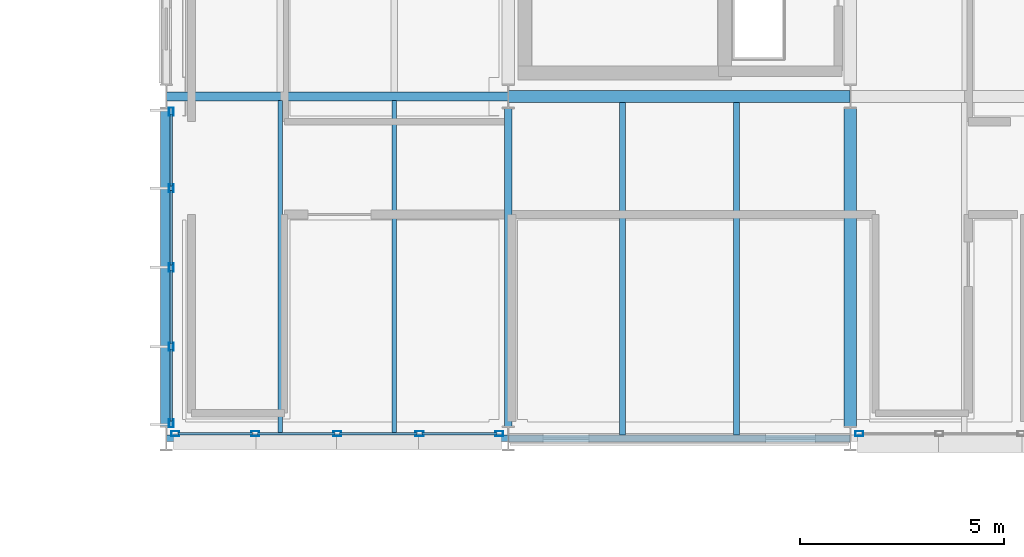
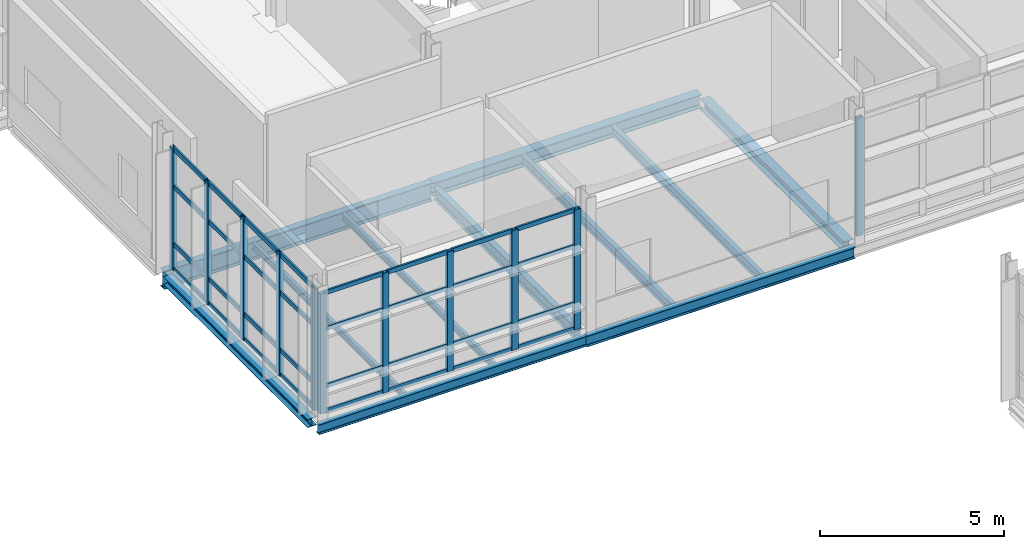
# One storey, part 76 of 129: 43 members, 11 beams, 3 elements without a shape of their own.
"""IFC4 building model written with IfcOpenShell, lengths in metres."""

from ifc_helpers import new_model, si_unit, direction, frame, origin, origin_2d, place, context, subcontext, project, spatial, hollow_rectangle, i_section, extrude, material, material_profile, profile_set, type_object, element, aggregate, save


model = new_model("IFC4")

# Units and contexts
model_context = context("Model", 3, precision=1e-05, world=origin(), true_north=direction((0.0, 1.0)))
body_context = subcontext(model_context, "Body", "Model", "MODEL_VIEW")
ifc_project = project(units=[si_unit("LENGTHUNIT", "METRE"), si_unit("AREAUNIT", "SQUARE_METRE"), si_unit("VOLUMEUNIT", "CUBIC_METRE"), si_unit("PLANEANGLEUNIT", "RADIAN"), si_unit("MASSUNIT", "GRAM", prefix="KILO")], contexts=[model_context])

# Site, building, storey
site_placement = place(None, origin())
site = spatial("IfcSite", under=ifc_project, at=site_placement, CompositionType="ELEMENT")
building_placement = place(site_placement, origin())
building = spatial("IfcBuilding", under=site, at=building_placement, Name="Mersafa Astral City Hall", CompositionType="ELEMENT")
storey_placement = place(building_placement, frame((0.0, 0.0, 5.39990234375)))
storey = spatial("IfcBuildingStorey", under=building, at=storey_placement, Name="L01", CompositionType="ELEMENT", Elevation=5.39990234375)

# Curtain wall, members
ifc_material_1 = material(Name="Anodised bronze aluminium framing", Category="aluminium")
curtain_wall_type_1 = type_object("IfcCurtainWallType", Name="ENV-CW-3", PredefinedType="USERDEFINED", material=ifc_material_1)
curtain_wall_1_placement = place(storey_placement, origin())
curtain_wall_1 = element("IfcCurtainWall", 1, at=curtain_wall_1_placement, inside=storey, type_object=curtain_wall_type_1, Name="L01 Unitised solar curtain wall 62", ObjectType="UNITISED CURTAIN WALL", PredefinedType="USERDEFINED")
ifc_material_profile_1 = material_profile(ifc_material_1, hollow_rectangle(XDim=0.1201171875, YDim=0.199951171875, WallThickness=0.008056640625, at=origin_2d()), Name="RHS 120x200x8")
ifc_profile_set_1 = profile_set([ifc_material_profile_1], Name="Anodised bronze aluminium framing")
member_type_1 = type_object("IfcMemberType", Name="ENV-CW-MUL-2", PredefinedType="MULLION", material=ifc_profile_set_1)
member_1_placement = place(storey_placement, frame((142.919921875, 108.827880859375, -0.001953125), z_axis=(0.0, 0.0, 1.0), x_axis=(1.0, 0.0, 0.0)))
member_1 = element("IfcMember", 2, at=member_1_placement, type_object=member_type_1, Name="CW-3 mullion 1", PredefinedType="MULLION", context=body_context, shape_type="SweptSolid", body=[
    extrude(hollow_rectangle(XDim=0.1201171875, YDim=0.199951171875, WallThickness=0.008056640625, at=origin_2d()), origin(), (0.0, 0.0, 1.0), 4.029052734375),
])
member_2_placement = place(storey_placement, frame((142.919921875, 106.944091796875, -0.001953125), z_axis=(0.0, 0.0, 1.0), x_axis=(1.0, 0.0, 0.0)))
member_2 = element("IfcMember", 3, at=member_2_placement, type_object=member_type_1, Name="CW-3 mullion 2", PredefinedType="MULLION", context=body_context, shape_type="SweptSolid", body=[
    extrude(hollow_rectangle(XDim=0.1201171875, YDim=0.199951171875, WallThickness=0.008056640625, at=origin_2d()), origin(), (0.0, 0.0, 1.0), 4.029052734375),
])
member_3_placement = place(storey_placement, frame((142.919921875, 105.0, -0.001953125), z_axis=(0.0, 0.0, 1.0), x_axis=(1.0, 0.0, 0.0)))
member_3 = element("IfcMember", 4, at=member_3_placement, type_object=member_type_1, Name="CW-3 mullion 3", PredefinedType="MULLION", context=body_context, shape_type="SweptSolid", body=[
    extrude(hollow_rectangle(XDim=0.1201171875, YDim=0.199951171875, WallThickness=0.008056640625, at=origin_2d()), origin(), (0.0, 0.0, 1.0), 4.029052734375),
])
member_4_placement = place(storey_placement, frame((142.919921875, 103.055908203125, -0.001953125), z_axis=(0.0, 0.0, 1.0), x_axis=(1.0, 0.0, 0.0)))
member_4 = element("IfcMember", 5, at=member_4_placement, type_object=member_type_1, Name="CW-3 mullion 4", PredefinedType="MULLION", context=body_context, shape_type="SweptSolid", body=[
    extrude(hollow_rectangle(XDim=0.1201171875, YDim=0.199951171875, WallThickness=0.008056640625, at=origin_2d()), origin(), (0.0, 0.0, 1.0), 4.029052734375),
])
member_5_placement = place(storey_placement, frame((142.919921875, 101.172119140625, -0.001953125), z_axis=(0.0, 0.0, 1.0), x_axis=(1.0, 0.0, 0.0)))
member_5 = element("IfcMember", 6, at=member_5_placement, type_object=member_type_1, Name="CW-3 mullion 5", PredefinedType="MULLION", context=body_context, shape_type="SweptSolid", body=[
    extrude(hollow_rectangle(XDim=0.1201171875, YDim=0.199951171875, WallThickness=0.008056640625, at=origin_2d()), origin(), (0.0, 0.0, 1.0), 4.029052734375),
])

curtain_wall_type_2 = type_object("IfcCurtainWallType", Name="ENV-CW-4", PredefinedType="USERDEFINED", material=ifc_material_1)
curtain_wall_2_placement = place(storey_placement, origin())
curtain_wall_2 = element("IfcCurtainWall", 7, at=curtain_wall_2_placement, inside=storey, type_object=curtain_wall_type_2, Name="L01 Unitised solar curtain wall 63", ObjectType="UNITISED CURTAIN WALL", PredefinedType="USERDEFINED")
member_6_placement = place(storey_placement, frame((143.02197265625, 100.919921875, -0.001953125), z_axis=(0.0, 0.0, 1.0), x_axis=(0.0, 1.0, 0.0)))
member_6 = element("IfcMember", 8, at=member_6_placement, type_object=member_type_1, Name="CW-4 mullion 1", PredefinedType="MULLION", context=body_context, shape_type="SweptSolid", body=[
    extrude(hollow_rectangle(XDim=0.1201171875, YDim=0.199951171875, WallThickness=0.008056640625, at=origin_2d()), origin(), (0.0, 0.0, 1.0), 3.968994140625),
])
member_7_placement = place(storey_placement, frame((144.98095703125, 100.919921875, -0.001953125), z_axis=(0.0, 0.0, 1.0), x_axis=(0.0, 1.0, 0.0)))
member_7 = element("IfcMember", 9, at=member_7_placement, type_object=member_type_1, Name="CW-4 mullion 2", PredefinedType="MULLION", context=body_context, shape_type="SweptSolid", body=[
    extrude(hollow_rectangle(XDim=0.1201171875, YDim=0.199951171875, WallThickness=0.008056640625, at=origin_2d()), origin(), (0.0, 0.0, 1.0), 3.968994140625),
])
member_8_placement = place(storey_placement, frame((147.0, 100.919921875, -0.001953125), z_axis=(0.0, 0.0, 1.0), x_axis=(0.0, 1.0, 0.0)))
member_8 = element("IfcMember", 10, at=member_8_placement, type_object=member_type_1, Name="CW-4 mullion 3", PredefinedType="MULLION", context=body_context, shape_type="SweptSolid", body=[
    extrude(hollow_rectangle(XDim=0.1201171875, YDim=0.199951171875, WallThickness=0.008056640625, at=origin_2d()), origin(), (0.0, 0.0, 1.0), 3.968994140625),
])
member_9_placement = place(storey_placement, frame((149.01904296875, 100.919921875, -0.001953125), z_axis=(0.0, 0.0, 1.0), x_axis=(0.0, 1.0, 0.0)))
member_9 = element("IfcMember", 11, at=member_9_placement, type_object=member_type_1, Name="CW-4 mullion 4", PredefinedType="MULLION", context=body_context, shape_type="SweptSolid", body=[
    extrude(hollow_rectangle(XDim=0.1201171875, YDim=0.199951171875, WallThickness=0.008056640625, at=origin_2d()), origin(), (0.0, 0.0, 1.0), 3.968994140625),
])
member_10_placement = place(storey_placement, frame((150.97802734375, 100.919921875, -0.001953125), z_axis=(0.0, 0.0, 1.0), x_axis=(0.0, 1.0, 0.0)))
member_10 = element("IfcMember", 12, at=member_10_placement, type_object=member_type_1, Name="CW-4 mullion 5", PredefinedType="MULLION", context=body_context, shape_type="SweptSolid", body=[
    extrude(hollow_rectangle(XDim=0.1201171875, YDim=0.199951171875, WallThickness=0.008056640625, at=origin_2d()), origin(), (0.0, 0.0, 1.0), 3.968994140625),
])

# Curtain wall, member
curtain_wall_type_3 = type_object("IfcCurtainWallType", Name="ENV-CW-5", PredefinedType="USERDEFINED", material=ifc_material_1)
curtain_wall_3_placement = place(storey_placement, origin())
curtain_wall_3 = element("IfcCurtainWall", 13, at=curtain_wall_3_placement, inside=storey, type_object=curtain_wall_type_3, Name="L01 Unitised solar curtain wall 64", ObjectType="UNITISED CURTAIN WALL", PredefinedType="USERDEFINED")
member_11_placement = place(storey_placement, frame((159.822021484375, 100.919921875, -0.001953125), z_axis=(0.0, 0.0, 1.0), x_axis=(0.0, 1.0, 0.0)))
member_11 = element("IfcMember", 14, at=member_11_placement, type_object=member_type_1, Name="CW-5 mullion 1", PredefinedType="MULLION", context=body_context, shape_type="SweptSolid", body=[
    extrude(hollow_rectangle(XDim=0.1201171875, YDim=0.199951171875, WallThickness=0.008056640625, at=origin_2d()), origin(), (0.0, 0.0, 1.0), 3.908935546875),
])
aggregate(curtain_wall_3, [member_11])

# Member
ifc_material_profile_2 = material_profile(ifc_material_1, hollow_rectangle(XDim=0.06005859375, YDim=0.139892578125, WallThickness=0.00390625, at=origin_2d()), Name="RHS 60x140x4")
ifc_profile_set_2 = profile_set([ifc_material_profile_2], Name="Anodised bronze aluminium framing")
member_type_2 = type_object("IfcMemberType", Name="ENV-CW-TRN-1", PredefinedType="USERDEFINED", material=ifc_profile_set_2)
member_12_placement = place(storey_placement, frame((143.08203125, 100.919921875, 0.028076171875), z_axis=(1.0, 0.0, 0.0), x_axis=(0.0, 1.0, 0.0)))
member_12 = element("IfcMember", 15, at=member_12_placement, type_object=member_type_2, Name="CW-4 transom 1.1", ObjectType="TRANSOM", PredefinedType="USERDEFINED", context=body_context, shape_type="SweptSolid", body=[
    extrude(hollow_rectangle(XDim=0.06005859375, YDim=0.139892578125, WallThickness=0.00390625, at=origin_2d()), origin(), (0.0, 0.0, 1.0), 1.8388671875),
])

member_13_placement = place(storey_placement, frame((143.08203125, 100.919921875, 0.85009765625), z_axis=(1.0, 0.0, 0.0), x_axis=(0.0, 1.0, 0.0)))
member_13 = element("IfcMember", 16, at=member_13_placement, type_object=member_type_2, Name="CW-4 transom 1.2", ObjectType="TRANSOM", PredefinedType="USERDEFINED", context=body_context, shape_type="SweptSolid", body=[
    extrude(hollow_rectangle(XDim=0.06005859375, YDim=0.139892578125, WallThickness=0.00390625, at=origin_2d()), origin(), (0.0, 0.0, 1.0), 1.8388671875),
])

member_14_placement = place(storey_placement, frame((143.08203125, 100.919921875, 2.75), z_axis=(1.0, 0.0, 0.0), x_axis=(0.0, 1.0, 0.0)))
member_14 = element("IfcMember", 17, at=member_14_placement, type_object=member_type_2, Name="CW-4 transom 1.3", ObjectType="TRANSOM", PredefinedType="USERDEFINED", context=body_context, shape_type="SweptSolid", body=[
    extrude(hollow_rectangle(XDim=0.06005859375, YDim=0.139892578125, WallThickness=0.00390625, at=origin_2d()), origin(), (0.0, 0.0, 1.0), 1.8388671875),
])

member_15_placement = place(storey_placement, frame((143.08203125, 100.919921875, 3.93701171875), z_axis=(1.0, 0.0, 0.0), x_axis=(0.0, 1.0, 0.0)))
member_15 = element("IfcMember", 18, at=member_15_placement, type_object=member_type_2, Name="CW-4 transom 1.4", ObjectType="TRANSOM", PredefinedType="USERDEFINED", context=body_context, shape_type="SweptSolid", body=[
    extrude(hollow_rectangle(XDim=0.06005859375, YDim=0.139892578125, WallThickness=0.00390625, at=origin_2d()), origin(), (0.0, 0.0, 1.0), 1.8388671875),
])

member_16_placement = place(storey_placement, frame((145.041015625, 100.919921875, 0.028076171875), z_axis=(1.0, 0.0, 0.0), x_axis=(0.0, 1.0, 0.0)))
member_16 = element("IfcMember", 19, at=member_16_placement, type_object=member_type_2, Name="CW-4 transom 2.1", ObjectType="TRANSOM", PredefinedType="USERDEFINED", context=body_context, shape_type="SweptSolid", body=[
    extrude(hollow_rectangle(XDim=0.06005859375, YDim=0.139892578125, WallThickness=0.00390625, at=origin_2d()), origin(), (0.0, 0.0, 1.0), 1.89892578125),
])

member_17_placement = place(storey_placement, frame((145.041015625, 100.919921875, 0.85009765625), z_axis=(1.0, 0.0, 0.0), x_axis=(0.0, 1.0, 0.0)))
member_17 = element("IfcMember", 20, at=member_17_placement, type_object=member_type_2, Name="CW-4 transom 2.2", ObjectType="TRANSOM", PredefinedType="USERDEFINED", context=body_context, shape_type="SweptSolid", body=[
    extrude(hollow_rectangle(XDim=0.06005859375, YDim=0.139892578125, WallThickness=0.00390625, at=origin_2d()), origin(), (0.0, 0.0, 1.0), 1.89892578125),
])

member_18_placement = place(storey_placement, frame((145.041015625, 100.919921875, 2.75), z_axis=(1.0, 0.0, 0.0), x_axis=(0.0, 1.0, 0.0)))
member_18 = element("IfcMember", 21, at=member_18_placement, type_object=member_type_2, Name="CW-4 transom 2.3", ObjectType="TRANSOM", PredefinedType="USERDEFINED", context=body_context, shape_type="SweptSolid", body=[
    extrude(hollow_rectangle(XDim=0.06005859375, YDim=0.139892578125, WallThickness=0.00390625, at=origin_2d()), origin(), (0.0, 0.0, 1.0), 1.89892578125),
])

member_19_placement = place(storey_placement, frame((145.041015625, 100.919921875, 3.93701171875), z_axis=(1.0, 0.0, 0.0), x_axis=(0.0, 1.0, 0.0)))
member_19 = element("IfcMember", 22, at=member_19_placement, type_object=member_type_2, Name="CW-4 transom 2.4", ObjectType="TRANSOM", PredefinedType="USERDEFINED", context=body_context, shape_type="SweptSolid", body=[
    extrude(hollow_rectangle(XDim=0.06005859375, YDim=0.139892578125, WallThickness=0.00390625, at=origin_2d()), origin(), (0.0, 0.0, 1.0), 1.89892578125),
])

member_20_placement = place(storey_placement, frame((147.06005859375, 100.919921875, 0.028076171875), z_axis=(1.0, 0.0, 0.0), x_axis=(0.0, 1.0, 0.0)))
member_20 = element("IfcMember", 23, at=member_20_placement, type_object=member_type_2, Name="CW-4 transom 3.1", ObjectType="TRANSOM", PredefinedType="USERDEFINED", context=body_context, shape_type="SweptSolid", body=[
    extrude(hollow_rectangle(XDim=0.06005859375, YDim=0.139892578125, WallThickness=0.00390625, at=origin_2d()), origin(), (0.0, 0.0, 1.0), 1.89892578125),
])

member_21_placement = place(storey_placement, frame((147.06005859375, 100.919921875, 0.85009765625), z_axis=(1.0, 0.0, 0.0), x_axis=(0.0, 1.0, 0.0)))
member_21 = element("IfcMember", 24, at=member_21_placement, type_object=member_type_2, Name="CW-4 transom 3.2", ObjectType="TRANSOM", PredefinedType="USERDEFINED", context=body_context, shape_type="SweptSolid", body=[
    extrude(hollow_rectangle(XDim=0.06005859375, YDim=0.139892578125, WallThickness=0.00390625, at=origin_2d()), origin(), (0.0, 0.0, 1.0), 1.89892578125),
])

member_22_placement = place(storey_placement, frame((147.06005859375, 100.919921875, 2.75), z_axis=(1.0, 0.0, 0.0), x_axis=(0.0, 1.0, 0.0)))
member_22 = element("IfcMember", 25, at=member_22_placement, type_object=member_type_2, Name="CW-4 transom 3.3", ObjectType="TRANSOM", PredefinedType="USERDEFINED", context=body_context, shape_type="SweptSolid", body=[
    extrude(hollow_rectangle(XDim=0.06005859375, YDim=0.139892578125, WallThickness=0.00390625, at=origin_2d()), origin(), (0.0, 0.0, 1.0), 1.89892578125),
])

member_23_placement = place(storey_placement, frame((147.06005859375, 100.919921875, 3.93701171875), z_axis=(1.0, 0.0, 0.0), x_axis=(0.0, 1.0, 0.0)))
member_23 = element("IfcMember", 26, at=member_23_placement, type_object=member_type_2, Name="CW-4 transom 3.4", ObjectType="TRANSOM", PredefinedType="USERDEFINED", context=body_context, shape_type="SweptSolid", body=[
    extrude(hollow_rectangle(XDim=0.06005859375, YDim=0.139892578125, WallThickness=0.00390625, at=origin_2d()), origin(), (0.0, 0.0, 1.0), 1.89892578125),
])

member_24_placement = place(storey_placement, frame((149.0791015625, 100.919921875, 0.028076171875), z_axis=(1.0, 0.0, 0.0), x_axis=(0.0, 1.0, 0.0)))
member_24 = element("IfcMember", 27, at=member_24_placement, type_object=member_type_2, Name="CW-4 transom 4.1", ObjectType="TRANSOM", PredefinedType="USERDEFINED", context=body_context, shape_type="SweptSolid", body=[
    extrude(hollow_rectangle(XDim=0.06005859375, YDim=0.139892578125, WallThickness=0.00390625, at=origin_2d()), origin(), (0.0, 0.0, 1.0), 1.8388671875),
])

member_25_placement = place(storey_placement, frame((149.0791015625, 100.919921875, 0.85009765625), z_axis=(1.0, 0.0, 0.0), x_axis=(0.0, 1.0, 0.0)))
member_25 = element("IfcMember", 28, at=member_25_placement, type_object=member_type_2, Name="CW-4 transom 4.2", ObjectType="TRANSOM", PredefinedType="USERDEFINED", context=body_context, shape_type="SweptSolid", body=[
    extrude(hollow_rectangle(XDim=0.06005859375, YDim=0.139892578125, WallThickness=0.00390625, at=origin_2d()), origin(), (0.0, 0.0, 1.0), 1.8388671875),
])

member_26_placement = place(storey_placement, frame((149.0791015625, 100.919921875, 2.75), z_axis=(1.0, 0.0, 0.0), x_axis=(0.0, 1.0, 0.0)))
member_26 = element("IfcMember", 29, at=member_26_placement, type_object=member_type_2, Name="CW-4 transom 4.3", ObjectType="TRANSOM", PredefinedType="USERDEFINED", context=body_context, shape_type="SweptSolid", body=[
    extrude(hollow_rectangle(XDim=0.06005859375, YDim=0.139892578125, WallThickness=0.00390625, at=origin_2d()), origin(), (0.0, 0.0, 1.0), 1.8388671875),
])

member_27_placement = place(storey_placement, frame((149.0791015625, 100.919921875, 3.93701171875), z_axis=(1.0, 0.0, 0.0), x_axis=(0.0, 1.0, 0.0)))
member_27 = element("IfcMember", 30, at=member_27_placement, type_object=member_type_2, Name="CW-4 transom 4.4", ObjectType="TRANSOM", PredefinedType="USERDEFINED", context=body_context, shape_type="SweptSolid", body=[
    extrude(hollow_rectangle(XDim=0.06005859375, YDim=0.139892578125, WallThickness=0.00390625, at=origin_2d()), origin(), (0.0, 0.0, 1.0), 1.8388671875),
])

aggregate(curtain_wall_2, [member_6, member_7, member_8, member_9, member_10, member_12, member_13, member_14, member_15, member_16, member_17, member_18, member_19, member_20, member_21, member_22, member_23, member_24, member_25, member_26, member_27])

ifc_material_profile_3 = material_profile(ifc_material_1, hollow_rectangle(XDim=0.06005859375, YDim=0.159912109375, WallThickness=0.00390625, at=origin_2d()), Name="RHS 60x160x4")
ifc_profile_set_3 = profile_set([ifc_material_profile_3], Name="Anodised bronze aluminium framing")
member_type_3 = type_object("IfcMemberType", Name="ENV-CW-TRN-2", PredefinedType="USERDEFINED", material=ifc_profile_set_3)
member_28_placement = place(storey_placement, frame((142.919921875, 108.76806640625, 0.028076171875), z_axis=(0.0, -1.0, 0.0), x_axis=(1.0, 0.0, 0.0)))
member_28 = element("IfcMember", 31, at=member_28_placement, type_object=member_type_3, Name="CW-3 transom 1.1", ObjectType="TRANSOM", PredefinedType="USERDEFINED", context=body_context, shape_type="SweptSolid", body=[
    extrude(hollow_rectangle(XDim=0.06005859375, YDim=0.159912109375, WallThickness=0.00390625, at=origin_2d()), origin(), (0.0, 0.0, 1.0), 1.76416015625),
])

member_29_placement = place(storey_placement, frame((142.919921875, 108.76806640625, 0.85009765625), z_axis=(0.0, -1.0, 0.0), x_axis=(1.0, 0.0, 0.0)))
member_29 = element("IfcMember", 32, at=member_29_placement, type_object=member_type_3, Name="CW-3 transom 1.2", ObjectType="TRANSOM", PredefinedType="USERDEFINED", context=body_context, shape_type="SweptSolid", body=[
    extrude(hollow_rectangle(XDim=0.06005859375, YDim=0.159912109375, WallThickness=0.00390625, at=origin_2d()), origin(), (0.0, 0.0, 1.0), 1.76416015625),
])

member_30_placement = place(storey_placement, frame((142.919921875, 108.76806640625, 2.75), z_axis=(0.0, -1.0, 0.0), x_axis=(1.0, 0.0, 0.0)))
member_30 = element("IfcMember", 33, at=member_30_placement, type_object=member_type_3, Name="CW-3 transom 1.3", ObjectType="TRANSOM", PredefinedType="USERDEFINED", context=body_context, shape_type="SweptSolid", body=[
    extrude(hollow_rectangle(XDim=0.06005859375, YDim=0.159912109375, WallThickness=0.00390625, at=origin_2d()), origin(), (0.0, 0.0, 1.0), 1.76416015625),
])

member_31_placement = place(storey_placement, frame((142.919921875, 108.76806640625, 3.9970703125), z_axis=(0.0, -1.0, 0.0), x_axis=(1.0, 0.0, 0.0)))
member_31 = element("IfcMember", 34, at=member_31_placement, type_object=member_type_3, Name="CW-3 transom 1.4", ObjectType="TRANSOM", PredefinedType="USERDEFINED", context=body_context, shape_type="SweptSolid", body=[
    extrude(hollow_rectangle(XDim=0.06005859375, YDim=0.159912109375, WallThickness=0.00390625, at=origin_2d()), origin(), (0.0, 0.0, 1.0), 1.76416015625),
])

member_32_placement = place(storey_placement, frame((142.919921875, 106.884033203125, 0.028076171875), z_axis=(0.0, -1.0, 0.0), x_axis=(1.0, 0.0, 0.0)))
member_32 = element("IfcMember", 35, at=member_32_placement, type_object=member_type_3, Name="CW-3 transom 2.1", ObjectType="TRANSOM", PredefinedType="USERDEFINED", context=body_context, shape_type="SweptSolid", body=[
    extrude(hollow_rectangle(XDim=0.06005859375, YDim=0.159912109375, WallThickness=0.00390625, at=origin_2d()), origin(), (0.0, 0.0, 1.0), 1.823974609375),
])

member_33_placement = place(storey_placement, frame((142.919921875, 106.884033203125, 0.85009765625), z_axis=(0.0, -1.0, 0.0), x_axis=(1.0, 0.0, 0.0)))
member_33 = element("IfcMember", 36, at=member_33_placement, type_object=member_type_3, Name="CW-3 transom 2.2", ObjectType="TRANSOM", PredefinedType="USERDEFINED", context=body_context, shape_type="SweptSolid", body=[
    extrude(hollow_rectangle(XDim=0.06005859375, YDim=0.159912109375, WallThickness=0.00390625, at=origin_2d()), origin(), (0.0, 0.0, 1.0), 1.823974609375),
])

member_34_placement = place(storey_placement, frame((142.919921875, 106.884033203125, 2.75), z_axis=(0.0, -1.0, 0.0), x_axis=(1.0, 0.0, 0.0)))
member_34 = element("IfcMember", 37, at=member_34_placement, type_object=member_type_3, Name="CW-3 transom 2.3", ObjectType="TRANSOM", PredefinedType="USERDEFINED", context=body_context, shape_type="SweptSolid", body=[
    extrude(hollow_rectangle(XDim=0.06005859375, YDim=0.159912109375, WallThickness=0.00390625, at=origin_2d()), origin(), (0.0, 0.0, 1.0), 1.823974609375),
])

member_35_placement = place(storey_placement, frame((142.919921875, 106.884033203125, 3.9970703125), z_axis=(0.0, -1.0, 0.0), x_axis=(1.0, 0.0, 0.0)))
member_35 = element("IfcMember", 38, at=member_35_placement, type_object=member_type_3, Name="CW-3 transom 2.4", ObjectType="TRANSOM", PredefinedType="USERDEFINED", context=body_context, shape_type="SweptSolid", body=[
    extrude(hollow_rectangle(XDim=0.06005859375, YDim=0.159912109375, WallThickness=0.00390625, at=origin_2d()), origin(), (0.0, 0.0, 1.0), 1.823974609375),
])

member_36_placement = place(storey_placement, frame((142.919921875, 104.93994140625, 0.028076171875), z_axis=(0.0, -1.0, 0.0), x_axis=(1.0, 0.0, 0.0)))
member_36 = element("IfcMember", 39, at=member_36_placement, type_object=member_type_3, Name="CW-3 transom 3.1", ObjectType="TRANSOM", PredefinedType="USERDEFINED", context=body_context, shape_type="SweptSolid", body=[
    extrude(hollow_rectangle(XDim=0.06005859375, YDim=0.159912109375, WallThickness=0.00390625, at=origin_2d()), origin(), (0.0, 0.0, 1.0), 1.823974609375),
])

member_37_placement = place(storey_placement, frame((142.919921875, 104.93994140625, 0.85009765625), z_axis=(0.0, -1.0, 0.0), x_axis=(1.0, 0.0, 0.0)))
member_37 = element("IfcMember", 40, at=member_37_placement, type_object=member_type_3, Name="CW-3 transom 3.2", ObjectType="TRANSOM", PredefinedType="USERDEFINED", context=body_context, shape_type="SweptSolid", body=[
    extrude(hollow_rectangle(XDim=0.06005859375, YDim=0.159912109375, WallThickness=0.00390625, at=origin_2d()), origin(), (0.0, 0.0, 1.0), 1.823974609375),
])

member_38_placement = place(storey_placement, frame((142.919921875, 104.93994140625, 2.75), z_axis=(0.0, -1.0, 0.0), x_axis=(1.0, 0.0, 0.0)))
member_38 = element("IfcMember", 41, at=member_38_placement, type_object=member_type_3, Name="CW-3 transom 3.3", ObjectType="TRANSOM", PredefinedType="USERDEFINED", context=body_context, shape_type="SweptSolid", body=[
    extrude(hollow_rectangle(XDim=0.06005859375, YDim=0.159912109375, WallThickness=0.00390625, at=origin_2d()), origin(), (0.0, 0.0, 1.0), 1.823974609375),
])

member_39_placement = place(storey_placement, frame((142.919921875, 104.93994140625, 3.9970703125), z_axis=(0.0, -1.0, 0.0), x_axis=(1.0, 0.0, 0.0)))
member_39 = element("IfcMember", 42, at=member_39_placement, type_object=member_type_3, Name="CW-3 transom 3.4", ObjectType="TRANSOM", PredefinedType="USERDEFINED", context=body_context, shape_type="SweptSolid", body=[
    extrude(hollow_rectangle(XDim=0.06005859375, YDim=0.159912109375, WallThickness=0.00390625, at=origin_2d()), origin(), (0.0, 0.0, 1.0), 1.823974609375),
])

member_40_placement = place(storey_placement, frame((142.919921875, 102.99609375, 0.028076171875), z_axis=(0.0, -1.0, 0.0), x_axis=(1.0, 0.0, 0.0)))
member_40 = element("IfcMember", 43, at=member_40_placement, type_object=member_type_3, Name="CW-3 transom 4.1", ObjectType="TRANSOM", PredefinedType="USERDEFINED", context=body_context, shape_type="SweptSolid", body=[
    extrude(hollow_rectangle(XDim=0.06005859375, YDim=0.159912109375, WallThickness=0.00390625, at=origin_2d()), origin(), (0.0, 0.0, 1.0), 1.76416015625),
])

member_41_placement = place(storey_placement, frame((142.919921875, 102.99609375, 0.85009765625), z_axis=(0.0, -1.0, 0.0), x_axis=(1.0, 0.0, 0.0)))
member_41 = element("IfcMember", 44, at=member_41_placement, type_object=member_type_3, Name="CW-3 transom 4.2", ObjectType="TRANSOM", PredefinedType="USERDEFINED", context=body_context, shape_type="SweptSolid", body=[
    extrude(hollow_rectangle(XDim=0.06005859375, YDim=0.159912109375, WallThickness=0.00390625, at=origin_2d()), origin(), (0.0, 0.0, 1.0), 1.76416015625),
])

member_42_placement = place(storey_placement, frame((142.919921875, 102.99609375, 2.75), z_axis=(0.0, -1.0, 0.0), x_axis=(1.0, 0.0, 0.0)))
member_42 = element("IfcMember", 45, at=member_42_placement, type_object=member_type_3, Name="CW-3 transom 4.3", ObjectType="TRANSOM", PredefinedType="USERDEFINED", context=body_context, shape_type="SweptSolid", body=[
    extrude(hollow_rectangle(XDim=0.06005859375, YDim=0.159912109375, WallThickness=0.00390625, at=origin_2d()), origin(), (0.0, 0.0, 1.0), 1.76416015625),
])

member_43_placement = place(storey_placement, frame((142.919921875, 102.99609375, 3.9970703125), z_axis=(0.0, -1.0, 0.0), x_axis=(1.0, 0.0, 0.0)))
member_43 = element("IfcMember", 46, at=member_43_placement, type_object=member_type_3, Name="CW-3 transom 4.4", ObjectType="TRANSOM", PredefinedType="USERDEFINED", context=body_context, shape_type="SweptSolid", body=[
    extrude(hollow_rectangle(XDim=0.06005859375, YDim=0.159912109375, WallThickness=0.00390625, at=origin_2d()), origin(), (0.0, 0.0, 1.0), 1.76416015625),
])

aggregate(curtain_wall_1, [member_1, member_2, member_3, member_4, member_5, member_28, member_29, member_30, member_31, member_32, member_33, member_34, member_35, member_36, member_37, member_38, member_39, member_40, member_41, member_42, member_43])

# Beams
ifc_material_2 = material(Name="Steel S355", Category="steel")
ifc_material_profile_4 = material_profile(ifc_material_2, i_section(OverallWidth=0.300048828125, OverallDepth=0.35009765625, WebThickness=0.010009765625, FlangeThickness=0.017578125, FilletRadius=0.027099609375, at=origin_2d()), Name="HEA 360")
ifc_profile_set_4 = profile_set([ifc_material_profile_4], Name="Steel S355")
beam_type_1 = type_object("IfcBeamType", Name="STR-BM-HEA360", PredefinedType="BEAM", material=ifc_profile_set_4)
beam_1_placement = place(storey_placement, frame((159.60009765625, 101.094970703125, -0.39990234375), z_axis=(0.0, 1.0, 0.0), x_axis=(-1.0, 0.0, 0.0)))
element("IfcBeam", 47, at=beam_1_placement, inside=storey, type_object=beam_type_1, Name="L01 Primary girder Y 19-12", PredefinedType="BEAM", context=body_context, shape_type="SweptSolid", body=[
    extrude(i_section(OverallWidth=0.300048828125, OverallDepth=0.35009765625, WebThickness=0.010009765625, FlangeThickness=0.017578125, FilletRadius=0.027099609375, at=origin_2d()), origin(), (0.0, 0.0, 1.0), 7.81005859375),
])
ifc_material_profile_5 = material_profile(ifc_material_2, i_section(OverallWidth=0.300048828125, OverallDepth=0.43994140625, WebThickness=0.011474609375, FlangeThickness=0.02099609375, FilletRadius=0.027099609375, at=origin_2d()), Name="HEA 450")
ifc_profile_set_5 = profile_set([ifc_material_profile_5], Name="Steel S355")
beam_type_2 = type_object("IfcBeamType", Name="STR-BM-HEA450", PredefinedType="BEAM", material=ifc_profile_set_5)
beam_2_placement = place(storey_placement, frame((151.202880859375, 109.199951171875, -0.44482421875), z_axis=(1.0, 0.0, 0.0), x_axis=(0.0, 1.0, 0.0)))
element("IfcBeam", 48, at=beam_2_placement, inside=storey, type_object=beam_type_2, Name="L01 Primary girder X 18-13", PredefinedType="BEAM", context=body_context, shape_type="SweptSolid", body=[
    extrude(i_section(OverallWidth=0.300048828125, OverallDepth=0.43994140625, WebThickness=0.011474609375, FlangeThickness=0.02099609375, FilletRadius=0.027099609375, at=origin_2d()), origin(), (0.0, 0.0, 1.0), 8.39404296875),
])
ifc_material_profile_6 = material_profile(ifc_material_2, i_section(OverallWidth=0.179931640625, OverallDepth=0.39990234375, WebThickness=0.008544921875, FlangeThickness=0.013427734375, FilletRadius=0.02099609375, at=origin_2d()), Name="IPE 400")
ifc_profile_set_6 = profile_set([ifc_material_profile_6], Name="Steel S355")
beam_type_3 = type_object("IfcBeamType", Name="STR-BM-IPE400", PredefinedType="BEAM", material=ifc_profile_set_6)
beam_3_placement = place(storey_placement, frame((151.199951171875, 101.094970703125, -0.4248046875), z_axis=(0.0, 1.0, 0.0), x_axis=(-1.0, 0.0, 0.0)))
element("IfcBeam", 49, at=beam_3_placement, inside=storey, type_object=beam_type_3, Name="L01 Primary girder Y 18-12", PredefinedType="BEAM", context=body_context, shape_type="SweptSolid", body=[
    extrude(i_section(OverallWidth=0.179931640625, OverallDepth=0.39990234375, WebThickness=0.008544921875, FlangeThickness=0.013427734375, FilletRadius=0.02099609375, at=origin_2d()), origin(), (0.0, 0.0, 1.0), 7.81005859375),
])
ifc_material_profile_7 = material_profile(ifc_material_2, i_section(OverallWidth=0.219970703125, OverallDepth=0.60009765625, WebThickness=0.011962890625, FlangeThickness=0.01904296875, FilletRadius=0.02392578125, at=origin_2d()), Name="IPE 600")
ifc_profile_set_7 = profile_set([ifc_material_profile_7], Name="Steel S355")
beam_type_4 = type_object("IfcBeamType", Name="STR-BM-IPE600", PredefinedType="BEAM", material=ifc_profile_set_7)
beam_4_placement = place(storey_placement, frame((142.802978515625, 109.199951171875, -0.52490234375), z_axis=(1.0, 0.0, 0.0), x_axis=(0.0, 1.0, 0.0)))
element("IfcBeam", 50, at=beam_4_placement, inside=storey, type_object=beam_type_4, Name="L01 Primary girder X 17-13", PredefinedType="BEAM", context=body_context, shape_type="SweptSolid", body=[
    extrude(i_section(OverallWidth=0.219970703125, OverallDepth=0.60009765625, WebThickness=0.011962890625, FlangeThickness=0.01904296875, FilletRadius=0.02392578125, at=origin_2d()), origin(), (0.0, 0.0, 1.0), 8.39404296875),
])
ifc_material_profile_8 = material_profile(ifc_material_2, i_section(OverallWidth=0.110107421875, OverallDepth=0.219970703125, WebThickness=0.005859375, FlangeThickness=0.00927734375, FilletRadius=0.011962890625, at=origin_2d()), Name="IPE 220")
ifc_profile_set_8 = profile_set([ifc_material_profile_8], Name="Steel S355")
beam_type_5 = type_object("IfcBeamType", Name="STR-BM-JOIST-IPE220", PredefinedType="JOIST", material=ifc_profile_set_8)
for number, where, z_axis, x_axis, name in (
    (51, (145.60009765625, 100.875, -0.3349609375), (0.0, 1.0, 0.0), (-1.0, 0.0, 0.0), "L01 Composite secondary floor joist 350"),
    (52, (148.39990234375, 100.875, -0.3349609375), (0.0, 1.0, 0.0), (-1.0, 0.0, 0.0), "L01 Composite secondary floor joist 351"),
):
    element("IfcBeam", number, at=place(storey_placement, frame(where, z_axis=z_axis, x_axis=x_axis)), inside=storey, type_object=beam_type_5, Name=name, PredefinedType="JOIST", context=body_context, shape_type="SweptSolid", body=[
        extrude(i_section(OverallWidth=0.110107421875, OverallDepth=0.219970703125, WebThickness=0.005859375, FlangeThickness=0.00927734375, FilletRadius=0.011962890625, at=origin_2d()), origin(), (0.0, 0.0, 1.0), 8.219970703125),
    ])
ifc_material_profile_9 = material_profile(ifc_material_2, i_section(OverallWidth=0.14990234375, OverallDepth=0.300048828125, WebThickness=0.007080078125, FlangeThickness=0.0107421875, FilletRadius=0.014892578125, at=origin_2d()), Name="IPE 300")
ifc_profile_set_9 = profile_set([ifc_material_profile_9], Name="Steel S355")
beam_type_6 = type_object("IfcBeamType", Name="STR-BM-JOIST-IPE300", PredefinedType="JOIST", material=ifc_profile_set_9)
for number, where, z_axis, x_axis, name in (
    (53, (154.0, 100.8798828125, -0.375), (0.0, 1.0, 0.0), (-1.0, 0.0, 0.0), "L01 Composite secondary floor joist 356"),
    (54, (156.800048828125, 100.8798828125, -0.375), (0.0, 1.0, 0.0), (-1.0, 0.0, 0.0), "L01 Composite secondary floor joist 357"),
):
    element("IfcBeam", number, at=place(storey_placement, frame(where, z_axis=z_axis, x_axis=x_axis)), inside=storey, type_object=beam_type_6, Name=name, PredefinedType="JOIST", context=body_context, shape_type="SweptSolid", body=[
        extrude(i_section(OverallWidth=0.14990234375, OverallDepth=0.300048828125, WebThickness=0.007080078125, FlangeThickness=0.0107421875, FilletRadius=0.014892578125, at=origin_2d()), origin(), (0.0, 0.0, 1.0), 8.175048828125),
    ])
ifc_material_profile_10 = material_profile(ifc_material_2, i_section(OverallWidth=0.280029296875, OverallDepth=0.27001953125, WebThickness=0.008056640625, FlangeThickness=0.012939453125, FilletRadius=0.02392578125, at=origin_2d()), Name="HEA 280")
ifc_profile_set_10 = profile_set([ifc_material_profile_10], Name="Steel S355")
beam_type_7 = type_object("IfcBeamType", Name="STR-BM-SPANDREL-HEA280", PredefinedType="SPANDREL", material=ifc_profile_set_10)
beam_5_placement = place(storey_placement, frame((142.800048828125, 101.094970703125, -0.35986328125), z_axis=(0.0, 1.0, 0.0), x_axis=(-1.0, 0.0, 0.0)))
element("IfcBeam", 55, at=beam_5_placement, inside=storey, type_object=beam_type_7, Name="L01 Primary girder Y 17-12", PredefinedType="SPANDREL", context=body_context, shape_type="SweptSolid", body=[
    extrude(i_section(OverallWidth=0.280029296875, OverallDepth=0.27001953125, WebThickness=0.008056640625, FlangeThickness=0.012939453125, FilletRadius=0.02392578125, at=origin_2d()), origin(), (0.0, 0.0, 1.0), 7.81005859375),
])
ifc_material_profile_11 = material_profile(ifc_material_2, i_section(OverallWidth=0.159912109375, OverallDepth=0.330078125, WebThickness=0.007568359375, FlangeThickness=0.011474609375, FilletRadius=0.01806640625, at=origin_2d()), Name="IPE 330")
ifc_profile_set_11 = profile_set([ifc_material_profile_11], Name="Steel S355")
beam_type_8 = type_object("IfcBeamType", Name="STR-BM-SPANDREL-IPE330", PredefinedType="SPANDREL", material=ifc_profile_set_11)
beam_6_placement = place(storey_placement, frame((142.802978515625, 100.800048828125, -0.389892578125), z_axis=(1.0, 0.0, 0.0), x_axis=(0.0, 1.0, 0.0)))
element("IfcBeam", 56, at=beam_6_placement, inside=storey, type_object=beam_type_8, Name="L01 Primary girder X 17-12", PredefinedType="SPANDREL", context=body_context, shape_type="SweptSolid", body=[
    extrude(i_section(OverallWidth=0.159912109375, OverallDepth=0.330078125, WebThickness=0.007568359375, FlangeThickness=0.011474609375, FilletRadius=0.01806640625, at=origin_2d()), origin(), (0.0, 0.0, 1.0), 8.39404296875),
])
ifc_material_profile_12 = material_profile(ifc_material_2, i_section(OverallWidth=0.169921875, OverallDepth=0.360107421875, WebThickness=0.008056640625, FlangeThickness=0.0126953125, FilletRadius=0.01806640625, at=origin_2d()), Name="IPE 360")
ifc_profile_set_12 = profile_set([ifc_material_profile_12], Name="Steel S355")
beam_type_9 = type_object("IfcBeamType", Name="STR-BM-SPANDREL-IPE360", PredefinedType="SPANDREL", material=ifc_profile_set_12)
beam_7_placement = place(storey_placement, frame((151.202880859375, 100.800048828125, -0.40478515625), z_axis=(1.0, 0.0, 0.0), x_axis=(0.0, 1.0, 0.0)))
element("IfcBeam", 57, at=beam_7_placement, inside=storey, type_object=beam_type_9, Name="L01 Primary girder X 18-12", PredefinedType="SPANDREL", context=body_context, shape_type="SweptSolid", body=[
    extrude(i_section(OverallWidth=0.169921875, OverallDepth=0.360107421875, WebThickness=0.008056640625, FlangeThickness=0.0126953125, FilletRadius=0.01806640625, at=origin_2d()), origin(), (0.0, 0.0, 1.0), 8.39404296875),
])

save(model, "model.ifc")
